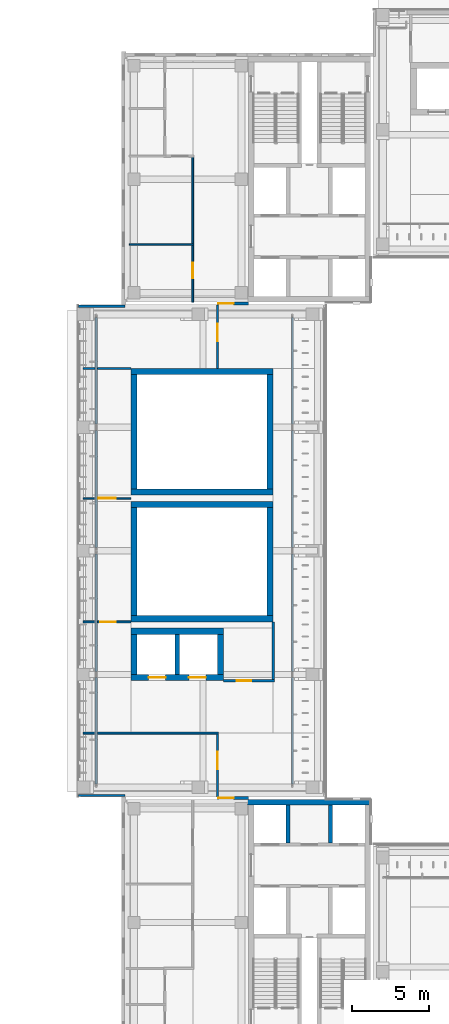
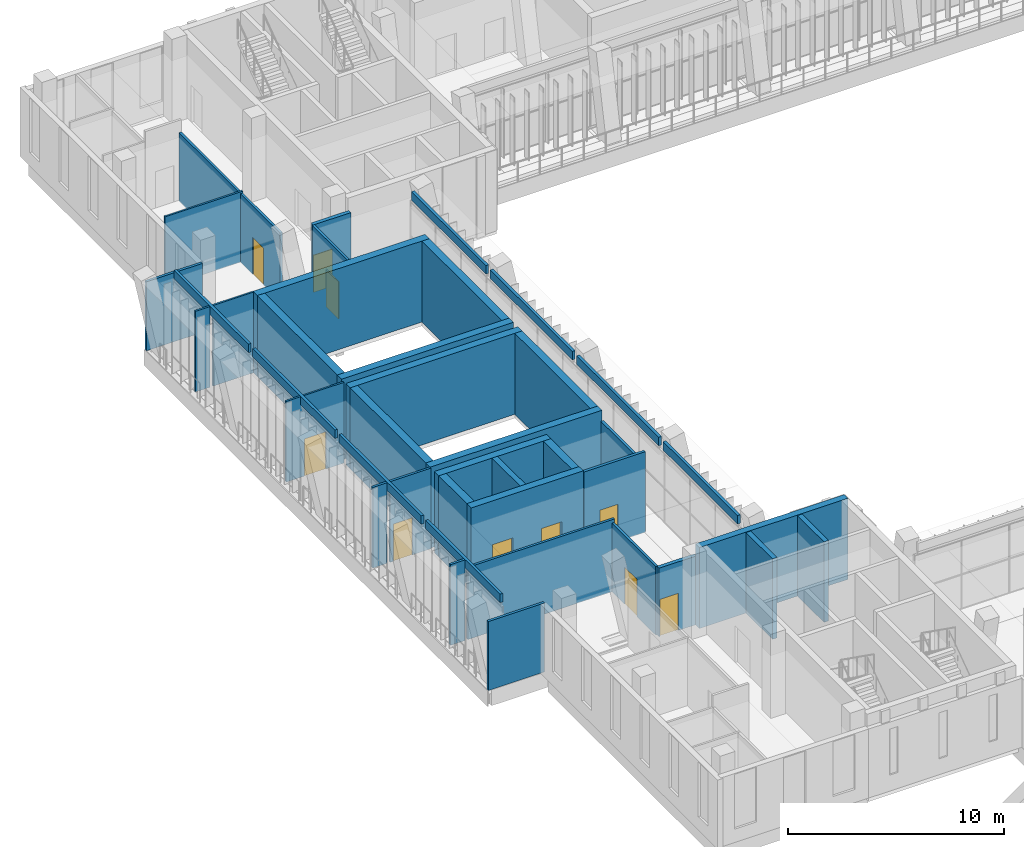
# One storey, part 62 of 89: 41 walls, 10 doors, 10 openings.
"""IFC4 building model written with IfcOpenShell, lengths in metres."""

from ifc_helpers import new_model, si_unit, direction, frame, frame_2d, origin, place, context, subcontext, project, spatial, rectangle, extrude, material, layer, layer_set, type_object, element, fill, save


model = new_model("IFC4")

# Units and contexts
model_context = context("Model", 3, precision=1e-05, world=origin(), true_north=direction((0.0, 1.0)))
body_context = subcontext(model_context, "Body", "Model", "MODEL_VIEW")
ifc_project = project(units=[si_unit("LENGTHUNIT", "METRE"), si_unit("AREAUNIT", "SQUARE_METRE"), si_unit("VOLUMEUNIT", "CUBIC_METRE"), si_unit("PLANEANGLEUNIT", "RADIAN"), si_unit("MASSUNIT", "GRAM", prefix="KILO")], contexts=[model_context])

# Site, building, storey
site_placement = place(None, origin())
site = spatial("IfcSite", under=ifc_project, at=site_placement, CompositionType="ELEMENT")
building_placement = place(site_placement, origin())
building = spatial("IfcBuilding", under=site, at=building_placement, Name="Lantern Court Media Centre", CompositionType="ELEMENT")
storey_placement = place(building_placement, frame((0.0, 0.0, 14.39990234375)))
storey = spatial("IfcBuildingStorey", under=building, at=storey_placement, Name="L03", CompositionType="ELEMENT", Elevation=14.39990234375)

# Wall, opening, door
ifc_material_1 = material(Name="Gypsum board partition")
ifc_layer_1 = layer(ifc_material_1, 0.125)
ifc_layer_set_1 = layer_set([ifc_layer_1], Name="Gypsum board partition")
wall_type_1 = type_object("IfcWallType", Name="Corridor partition 125", PredefinedType="PARTITIONING", material=ifc_layer_set_1)
wall_1_placement = place(storey_placement, frame((14.0, 64.10009765625, 0.0), z_axis=(0.0, 0.0, 1.0), x_axis=(0.0, 1.0, 0.0)))
wall_1 = element("IfcWall", 1, at=wall_1_placement, inside=storey, type_object=wall_type_1, Name="L03 partition 028", PredefinedType="PARTITIONING", context=body_context, shape_type="SweptSolid", body=[
    extrude(rectangle(XDim=4.037353515625, YDim=0.125, at=frame_2d((2.0185546875, 0.0))), origin(), (0.0, 0.0, 1.0), 3.880126953125),
])
opening_1_placement = place(wall_1_placement, frame((1.75, 0.0, 0.0)))
opening_1 = element("IfcOpeningElement", 2, at=opening_1_placement, cuts=wall_1, Name="Opening L03-021", PredefinedType="OPENING", context=body_context, shape_type="SweptSolid", body=[
    extrude(rectangle(XDim=1.14990234375, YDim=2.10009765625, at=frame_2d((0.574951171875, 1.050048828125))), frame((0.0, 0.072509765625, 0.0), z_axis=(0.0, -1.0, 0.0), x_axis=(1.0, 0.0, 0.0)), (0.0, 0.0, 1.0), 0.14501953125),
])
ifc_material_2 = material(Name="Solid-core timber door leaf", Category="wood")
door_type_1 = type_object("IfcDoorType", Name="Single door 1150x2100", OperationType="NOTDEFINED", PredefinedType="DOOR", material=ifc_material_2)
door_1_placement = place(opening_1_placement, origin())
door_1 = element("IfcDoor", 3, at=door_1_placement, inside=storey, type_object=door_type_1, Name="L03 Projection Room Screen 5 door", OperationType="SINGLE_SWING_RIGHT", OverallHeight=2.10009765625, OverallWidth=1.14990234375, PredefinedType="DOOR", context=body_context, shape_type="SweptSolid", body=[
    extrude(rectangle(XDim=1.14990234375, YDim=2.10009765625, at=frame_2d((0.574951171875, 1.050048828125))), frame((0.0, 0.02490234375, 0.0), z_axis=(0.0, -1.0, 0.0), x_axis=(1.0, 0.0, 0.0)), (0.0, 0.0, 1.0), 0.050048828125),
])
fill(opening_1, door_1)

wall_2_placement = place(storey_placement, frame((14.0, 91.804931640625, 0.0), z_axis=(0.0, 0.0, 1.0), x_axis=(0.0, 1.0, 0.0)))
wall_2 = element("IfcWall", 4, at=wall_2_placement, inside=storey, type_object=wall_type_1, Name="L03 partition 029", PredefinedType="PARTITIONING", context=body_context, shape_type="SweptSolid", body=[
    extrude(rectangle(XDim=4.094970703125, YDim=0.125, at=frame_2d((2.04736328125, 0.0))), origin(), (0.0, 0.0, 1.0), 3.880126953125),
])
opening_2_placement = place(wall_2_placement, frame((1.7451171875, 0.0, 0.0)))
opening_2 = element("IfcOpeningElement", 5, at=opening_2_placement, cuts=wall_2, Name="Opening L03-022", PredefinedType="OPENING", context=body_context, shape_type="SweptSolid", body=[
    extrude(rectangle(XDim=1.14990234375, YDim=2.10009765625, at=frame_2d((0.574951171875, 1.050048828125))), frame((0.0, 0.072509765625, 0.0), z_axis=(0.0, -1.0, 0.0), x_axis=(1.0, 0.0, 0.0)), (0.0, 0.0, 1.0), 0.14501953125),
])
door_2_placement = place(opening_2_placement, origin())
door_2 = element("IfcDoor", 6, at=door_2_placement, inside=storey, type_object=door_type_1, Name="L03 Projection Room Screen 6 door", OperationType="SINGLE_SWING_LEFT", OverallHeight=2.10009765625, OverallWidth=1.14990234375, PredefinedType="DOOR", context=body_context, shape_type="SweptSolid", body=[
    extrude(rectangle(XDim=1.14990234375, YDim=2.10009765625, at=frame_2d((0.574951171875, 1.050048828125))), frame((0.0, 0.02490234375, 0.0), z_axis=(0.0, -1.0, 0.0), x_axis=(1.0, 0.0, 0.0)), (0.0, 0.0, 1.0), 0.050048828125),
])
fill(opening_2, door_2)

# Walls
wall_3_placement = place(storey_placement, frame((5.300048828125, 68.199951171875, 0.0), z_axis=(0.0, 0.0, 1.0), x_axis=(1.0, 0.0, 0.0)))
element("IfcWall", 7, at=wall_3_placement, inside=storey, type_object=wall_type_1, Name="L03 partition 030", PredefinedType="PARTITIONING", context=body_context, shape_type="SweptSolid", body=[
    extrude(rectangle(XDim=0.77001953125, YDim=0.125, at=frame_2d((0.385009765625, 0.0))), origin(), (0.0, 0.0, 1.0), 4.56005859375),
])
wall_4_placement = place(storey_placement, frame((6.22998046875, 68.199951171875, 0.0), z_axis=(0.0, 0.0, 1.0), x_axis=(1.0, 0.0, 0.0)))
element("IfcWall", 8, at=wall_4_placement, inside=storey, type_object=wall_type_1, Name="L03 partition 031", PredefinedType="PARTITIONING", context=body_context, shape_type="SweptSolid", body=[
    extrude(rectangle(XDim=7.83251953125, YDim=0.125, at=frame_2d((3.916259765625, 0.0))), origin(), (0.0, 0.0, 1.0), 4.080078125),
])
wall_5_placement = place(storey_placement, frame((5.300048828125, 75.39990234375, 0.0), z_axis=(0.0, 0.0, 1.0), x_axis=(1.0, 0.0, 0.0)))
element("IfcWall", 9, at=wall_5_placement, inside=storey, type_object=wall_type_1, Name="L03 partition 037", PredefinedType="PARTITIONING", context=body_context, shape_type="SweptSolid", body=[
    extrude(rectangle(XDim=0.77001953125, YDim=0.125, at=frame_2d((0.385009765625, 0.0))), origin(), (0.0, 0.0, 1.0), 4.56005859375),
])

# Wall, opening, door
wall_6_placement = place(storey_placement, frame((6.22998046875, 75.39990234375, 0.0), z_axis=(0.0, 0.0, 1.0), x_axis=(1.0, 0.0, 0.0)))
wall_6 = element("IfcWall", 10, at=wall_6_placement, inside=storey, type_object=wall_type_1, Name="L03 partition 038", PredefinedType="PARTITIONING", context=body_context, shape_type="SweptSolid", body=[
    extrude(rectangle(XDim=2.169921875, YDim=0.125, at=frame_2d((1.0849609375, 0.0))), origin(), (0.0, 0.0, 1.0), 4.56005859375),
])
opening_3_placement = place(wall_6_placement, frame((0.1806640625, 0.0, 0.0)))
opening_3 = element("IfcOpeningElement", 11, at=opening_3_placement, cuts=wall_6, Name="Opening L03-023", PredefinedType="OPENING", context=body_context, shape_type="SweptSolid", body=[
    extrude(rectangle(XDim=1.0, YDim=2.10009765625, at=frame_2d((0.5, 1.050048828125))), frame((0.0, 0.072509765625, 0.0), z_axis=(0.0, -1.0, 0.0), x_axis=(1.0, 0.0, 0.0)), (0.0, 0.0, 1.0), 0.14501953125),
])
door_type_2 = type_object("IfcDoorType", Name="Single door 1000x2100", OperationType="NOTDEFINED", PredefinedType="DOOR", material=ifc_material_2)
door_3_placement = place(opening_3_placement, origin())
door_3 = element("IfcDoor", 12, at=door_3_placement, inside=storey, type_object=door_type_2, Name="L03 Cinema Club Room door", OperationType="SINGLE_SWING_RIGHT", OverallHeight=2.10009765625, OverallWidth=1.0, PredefinedType="DOOR", context=body_context, shape_type="SweptSolid", body=[
    extrude(rectangle(XDim=1.0, YDim=2.10009765625, at=frame_2d((0.5, 1.050048828125))), frame((0.0, 0.02490234375, 0.0), z_axis=(0.0, -1.0, 0.0), x_axis=(1.0, 0.0, 0.0)), (0.0, 0.0, 1.0), 0.050048828125),
])
fill(opening_3, door_3)

wall_7_placement = place(storey_placement, frame((12.39990234375, 96.10009765625, 0.0), z_axis=(0.0, 0.0, 1.0), x_axis=(0.0, 1.0, 0.0)))
wall_7 = element("IfcWall", 13, at=wall_7_placement, inside=storey, type_object=wall_type_1, Name="L03 partition 047", PredefinedType="PARTITIONING", context=body_context, shape_type="SweptSolid", body=[
    extrude(rectangle(XDim=9.376953125, YDim=0.125, at=frame_2d((4.6884765625, 0.0))), origin(), (0.0, 0.0, 1.0), 3.880126953125),
])
opening_4_placement = place(wall_7_placement, frame((1.550537109375, 0.0, 0.0)))
opening_4 = element("IfcOpeningElement", 14, at=opening_4_placement, cuts=wall_7, Name="Opening L03-043", PredefinedType="OPENING", context=body_context, shape_type="SweptSolid", body=[
    extrude(rectangle(XDim=1.0, YDim=2.10009765625, at=frame_2d((0.5, 1.050048828125))), frame((0.0, 0.072509765625, 0.0), z_axis=(0.0, -1.0, 0.0), x_axis=(1.0, 0.0, 0.0)), (0.0, 0.0, 1.0), 0.14501953125),
])
door_4_placement = place(opening_4_placement, origin())
door_4 = element("IfcDoor", 15, at=door_4_placement, inside=storey, type_object=door_type_2, Name="L03 Meeting Room 04 door", OperationType="SINGLE_SWING_RIGHT", OverallHeight=2.10009765625, OverallWidth=1.0, PredefinedType="DOOR", context=body_context, shape_type="SweptSolid", body=[
    extrude(rectangle(XDim=1.0, YDim=2.10009765625, at=frame_2d((0.5, 1.050048828125))), frame((0.0, 0.02490234375, 0.0), z_axis=(0.0, -1.0, 0.0), x_axis=(1.0, 0.0, 0.0)), (0.0, 0.0, 1.0), 0.050048828125),
])
fill(opening_4, door_4)

# Walls
ifc_material_3 = material(Name="Insulated rendered blockwork", Category="masonry")
ifc_layer_2 = layer(ifc_material_3, 0.14990234375)
ifc_layer_set_2 = layer_set([ifc_layer_2], Name="Insulated rendered blockwork")
wall_type_2 = type_object("IfcWallType", Name="Head infill wall 150", PredefinedType="SOLIDWALL", material=ifc_layer_set_2)
wall_8_placement = place(storey_placement, frame((6.14990234375, 64.89990234375, 4.10009765625), z_axis=(0.0, 0.0, 1.0), x_axis=(0.0, 1.0, 0.0)))
element("IfcWall", 16, at=wall_8_placement, inside=storey, type_object=wall_type_2, Name="Head infill wall W outer L03", PredefinedType="SOLIDWALL", context=body_context, shape_type="SweptSolid", body=[
    extrude(rectangle(XDim=6.900146484375, YDim=0.14990234375, at=frame_2d((3.4501953125, 0.0))), origin(), (0.0, 0.0, 1.0), 0.47998046875),
])
for number, where, z_axis, x_axis, name in (
    (17, (6.14990234375, 72.199951171875, 4.10009765625), (0.0, 0.0, 1.0), (0.0, 1.0, 0.0), "Head infill wall W outer L03"),
    (18, (6.14990234375, 80.199951171875, 4.10009765625), (0.0, 0.0, 1.0), (0.0, 1.0, 0.0), "Head infill wall W outer L03"),
):
    element("IfcWall", number, at=place(storey_placement, frame(where, z_axis=z_axis, x_axis=x_axis)), inside=storey, type_object=wall_type_2, Name=name, PredefinedType="SOLIDWALL", context=body_context, shape_type="SweptSolid", body=[
        extrude(rectangle(XDim=7.60009765625, YDim=0.14990234375, at=frame_2d((3.800048828125, 0.0))), origin(), (0.0, 0.0, 1.0), 0.47998046875),
    ])
for number, where, z_axis, x_axis, name in (
    (19, (6.14990234375, 88.199951171875, 4.10009765625), (0.0, 0.0, 1.0), (0.0, 1.0, 0.0), "Head infill wall W outer L03"),
    (20, (18.85009765625, 64.89990234375, 4.10009765625), (0.0, 0.0, 1.0), (0.0, 1.0, 0.0), "Head infill wall W inner L03"),
):
    element("IfcWall", number, at=place(storey_placement, frame(where, z_axis=z_axis, x_axis=x_axis)), inside=storey, type_object=wall_type_2, Name=name, PredefinedType="SOLIDWALL", context=body_context, shape_type="SweptSolid", body=[
        extrude(rectangle(XDim=6.900146484375, YDim=0.14990234375, at=frame_2d((3.4501953125, 0.0))), origin(), (0.0, 0.0, 1.0), 0.47998046875),
    ])
for number, where, z_axis, x_axis, name in (
    (21, (18.85009765625, 72.199951171875, 4.10009765625), (0.0, 0.0, 1.0), (0.0, 1.0, 0.0), "Head infill wall W inner L03"),
    (22, (18.85009765625, 80.199951171875, 4.10009765625), (0.0, 0.0, 1.0), (0.0, 1.0, 0.0), "Head infill wall W inner L03"),
):
    element("IfcWall", number, at=place(storey_placement, frame(where, z_axis=z_axis, x_axis=x_axis)), inside=storey, type_object=wall_type_2, Name=name, PredefinedType="SOLIDWALL", context=body_context, shape_type="SweptSolid", body=[
        extrude(rectangle(XDim=7.60009765625, YDim=0.14990234375, at=frame_2d((3.800048828125, 0.0))), origin(), (0.0, 0.0, 1.0), 0.47998046875),
    ])
wall_9_placement = place(storey_placement, frame((18.85009765625, 88.199951171875, 4.10009765625), z_axis=(0.0, 0.0, 1.0), x_axis=(0.0, 1.0, 0.0)))
element("IfcWall", 23, at=wall_9_placement, inside=storey, type_object=wall_type_2, Name="Head infill wall W inner L03", PredefinedType="SOLIDWALL", context=body_context, shape_type="SweptSolid", body=[
    extrude(rectangle(XDim=6.900146484375, YDim=0.14990234375, at=frame_2d((3.4501953125, 0.0))), origin(), (0.0, 0.0, 1.0), 0.47998046875),
])
ifc_material_4 = material(Name="Honed limestone cladding on blockwork", Category="masonry")
ifc_layer_3 = layer(ifc_material_4, 0.139892578125)
ifc_layer_set_3 = layer_set([ifc_layer_3], Name="Honed limestone cladding on blockwork")
wall_type_3 = type_object("IfcWallType", Name="Limestone closure wall 140", PredefinedType="SOLIDWALL", material=ifc_layer_set_3)
for number, where, z_axis, x_axis, name in (
    (24, (5.0, 64.169921875, 0.0), (0.0, 0.0, 1.0), (1.0, 0.0, 0.0), "Limestone closure wall W-SW L03"),
    (25, (5.0, 95.830078125, 0.0), (0.0, 0.0, 1.0), (1.0, 0.0, 0.0), "Limestone closure wall W-NW L03"),
):
    element("IfcWall", number, at=place(storey_placement, frame(where, z_axis=z_axis, x_axis=x_axis)), inside=storey, type_object=wall_type_3, Name=name, PredefinedType="SOLIDWALL", context=body_context, shape_type="SweptSolid", body=[
        extrude(rectangle(XDim=3.0, YDim=0.139892578125, at=frame_2d((1.5, 0.0))), origin(), (0.0, 0.0, 1.0), 3.900146484375),
    ])

# Wall, opening, door
ifc_material_5 = material(Name="Fire-rated gypsum board")
ifc_layer_4 = layer(ifc_material_5, 0.199951171875)
ifc_layer_set_4 = layer_set([ifc_layer_4], Name="Fire-rated gypsum board")
wall_type_4 = type_object("IfcWallType", Name="Movement-joint compartment wall 200", PredefinedType="PARTITIONING", material=ifc_layer_set_4)
wall_10_placement = place(storey_placement, frame((14.0, 64.0, 0.0), z_axis=(0.0, 0.0, 1.0), x_axis=(1.0, 0.0, 0.0)))
wall_10 = element("IfcWall", 26, at=wall_10_placement, inside=storey, type_object=wall_type_4, Name="L03 movement-joint wall 11", PredefinedType="PARTITIONING", context=body_context, shape_type="SweptSolid", body=[
    extrude(rectangle(XDim=2.0, YDim=0.199951171875, at=frame_2d((1.0, 0.0))), origin(), (0.0, 0.0, 1.0), 3.880126953125),
])
opening_5_placement = place(wall_10_placement, frame((0.050048828125, 0.0, 0.0)))
opening_5 = element("IfcOpeningElement", 27, at=opening_5_placement, cuts=wall_10, Name="Opening L03-J11", PredefinedType="OPENING", context=body_context, shape_type="SweptSolid", body=[
    extrude(rectangle(XDim=1.0, YDim=2.10009765625, at=frame_2d((0.5, 1.050048828125))), frame((0.0, 0.10986328125, 0.0), z_axis=(0.0, -1.0, 0.0), x_axis=(1.0, 0.0, 0.0)), (0.0, 0.0, 1.0), 0.219970703125),
])
ifc_material_6 = material(Name="Steel door leaf", Category="steel")
door_type_3 = type_object("IfcDoorType", Name="Movement-joint fire door 1000x2100", OperationType="NOTDEFINED", PredefinedType="DOOR", material=ifc_material_6)
door_5_placement = place(opening_5_placement, frame((1.0, 0.0, 0.0), z_axis=(0.0, 0.0, 1.0), x_axis=(-1.0, 0.0, 0.0)))
door_5 = element("IfcDoor", 28, at=door_5_placement, inside=storey, type_object=door_type_3, Name="L03 bar end lobby door 11", OperationType="SINGLE_SWING_LEFT", OverallHeight=2.10009765625, OverallWidth=1.0, PredefinedType="DOOR", context=body_context, shape_type="SweptSolid", body=[
    extrude(rectangle(XDim=1.0, YDim=2.10009765625, at=frame_2d((0.5, 1.050048828125))), frame((0.0, 0.02490234375, 0.0), z_axis=(0.0, -1.0, 0.0), x_axis=(1.0, 0.0, 0.0)), (0.0, 0.0, 1.0), 0.050048828125),
])
fill(opening_5, door_5)

wall_11_placement = place(storey_placement, frame((14.0, 96.0, 0.0), z_axis=(0.0, 0.0, 1.0), x_axis=(1.0, 0.0, 0.0)))
wall_11 = element("IfcWall", 29, at=wall_11_placement, inside=storey, type_object=wall_type_4, Name="L03 movement-joint wall 12", PredefinedType="PARTITIONING", context=body_context, shape_type="SweptSolid", body=[
    extrude(rectangle(XDim=2.0, YDim=0.199951171875, at=frame_2d((1.0, 0.0))), origin(), (0.0, 0.0, 1.0), 3.880126953125),
])
opening_6_placement = place(wall_11_placement, frame((0.050048828125, 0.0, 0.0)))
opening_6 = element("IfcOpeningElement", 30, at=opening_6_placement, cuts=wall_11, Name="Opening L03-J12", PredefinedType="OPENING", context=body_context, shape_type="SweptSolid", body=[
    extrude(rectangle(XDim=1.0, YDim=2.10009765625, at=frame_2d((0.5, 1.050048828125))), frame((0.0, 0.10986328125, 0.0), z_axis=(0.0, -1.0, 0.0), x_axis=(1.0, 0.0, 0.0)), (0.0, 0.0, 1.0), 0.219970703125),
])
door_6_placement = place(opening_6_placement, origin())
door_6 = element("IfcDoor", 31, at=door_6_placement, inside=storey, type_object=door_type_3, Name="L03 bar end lobby door 12", OperationType="SINGLE_SWING_LEFT", OverallHeight=2.10009765625, OverallWidth=1.0, PredefinedType="DOOR", context=body_context, shape_type="SweptSolid", body=[
    extrude(rectangle(XDim=1.0, YDim=2.10009765625, at=frame_2d((0.5, 1.050048828125))), frame((0.0, 0.02490234375, 0.0), z_axis=(0.0, -1.0, 0.0), x_axis=(1.0, 0.0, 0.0)), (0.0, 0.0, 1.0), 0.050048828125),
])
fill(opening_6, door_6)

# Walls
ifc_layer_5 = layer(ifc_material_1, 0.10009765625)
ifc_layer_set_5 = layer_set([ifc_layer_5], Name="Gypsum board partition")
wall_type_5 = type_object("IfcWallType", Name="Partition 100", PredefinedType="PARTITIONING", material=ifc_layer_set_5)
wall_12_placement = place(storey_placement, frame((5.300048828125, 91.800048828125, 0.0), z_axis=(0.0, 0.0, 1.0), x_axis=(1.0, 0.0, 0.0)))
element("IfcWall", 32, at=wall_12_placement, inside=storey, type_object=wall_type_5, Name="L03 partition 033", PredefinedType="PARTITIONING", context=body_context, shape_type="SweptSolid", body=[
    extrude(rectangle(XDim=0.77001953125, YDim=0.10009765625, at=frame_2d((0.385009765625, 0.0))), origin(), (0.0, 0.0, 1.0), 4.56005859375),
])
wall_13_placement = place(storey_placement, frame((6.22998046875, 91.800048828125, 0.0), z_axis=(0.0, 0.0, 1.0), x_axis=(1.0, 0.0, 0.0)))
element("IfcWall", 33, at=wall_13_placement, inside=storey, type_object=wall_type_5, Name="L03 partition 034", PredefinedType="PARTITIONING", context=body_context, shape_type="SweptSolid", body=[
    extrude(rectangle(XDim=2.169921875, YDim=0.10009765625, at=frame_2d((1.0849609375, 0.0))), origin(), (0.0, 0.0, 1.0), 4.56005859375),
])
wall_14_placement = place(storey_placement, frame((8.300048828125, 99.825927734375, 0.0), z_axis=(0.0, 0.0, 1.0), x_axis=(1.0, 0.0, 0.0)))
element("IfcWall", 34, at=wall_14_placement, inside=storey, type_object=wall_type_5, Name="L03 partition 062", PredefinedType="PARTITIONING", context=body_context, shape_type="SweptSolid", body=[
    extrude(rectangle(XDim=4.162353515625, YDim=0.10009765625, at=frame_2d((2.0810546875, 0.0))), origin(), (0.0, 0.0, 1.0), 3.97998046875),
])

# Wall, opening, door
wall_15_placement = place(storey_placement, frame((5.300048828125, 83.39990234375, 0.0), z_axis=(0.0, 0.0, 1.0), x_axis=(1.0, 0.0, 0.0)))
wall_15 = element("IfcWall", 35, at=wall_15_placement, inside=storey, type_object=wall_type_5, Name="L03 partition 070", PredefinedType="PARTITIONING", context=body_context, shape_type="SweptSolid", body=[
    extrude(rectangle(XDim=3.099853515625, YDim=0.10009765625, at=frame_2d((1.5498046875, 0.0))), origin(), (0.0, 0.0, 1.0), 4.56005859375),
])
opening_7_placement = place(wall_15_placement, frame((0.97509765625, 0.0, 0.0)))
opening_7 = element("IfcOpeningElement", 36, at=opening_7_placement, cuts=wall_15, Name="Opening L03-024", PredefinedType="OPENING", context=body_context, shape_type="SweptSolid", body=[
    extrude(rectangle(XDim=1.14990234375, YDim=2.10009765625, at=frame_2d((0.574951171875, 1.050048828125))), frame((0.0, 0.06005859375, 0.0), z_axis=(0.0, -1.0, 0.0), x_axis=(1.0, 0.0, 0.0)), (0.0, 0.0, 1.0), 0.1201171875),
])
door_7_placement = place(opening_7_placement, origin())
door_7 = element("IfcDoor", 37, at=door_7_placement, inside=storey, type_object=door_type_1, Name="L03 Cinema Club Room door", OperationType="SINGLE_SWING_LEFT", OverallHeight=2.10009765625, OverallWidth=1.14990234375, PredefinedType="DOOR", context=body_context, shape_type="SweptSolid", body=[
    extrude(rectangle(XDim=1.14990234375, YDim=2.10009765625, at=frame_2d((0.574951171875, 1.050048828125))), frame((0.0, 0.02490234375, 0.0), z_axis=(0.0, -1.0, 0.0), x_axis=(1.0, 0.0, 0.0)), (0.0, 0.0, 1.0), 0.050048828125),
])
fill(opening_7, door_7)

ifc_material_7 = material(Name="Concrete blockwork C20", Category="masonry")
ifc_layer_6 = layer(ifc_material_7, 0.14990234375)
ifc_layer_set_6 = layer_set([ifc_layer_6], Name="Concrete blockwork C20")
wall_type_6 = type_object("IfcWallType", Name="Partition 150 masonry", PredefinedType="PARTITIONING", material=ifc_layer_set_6)
wall_16_placement = place(storey_placement, frame((14.39990234375, 71.60009765625, 0.0), z_axis=(0.0, 0.0, 1.0), x_axis=(1.0, 0.0, 0.0)))
wall_16 = element("IfcWall", 38, at=wall_16_placement, inside=storey, type_object=wall_type_6, Name="L03 partition 039", PredefinedType="PARTITIONING", context=body_context, shape_type="SweptSolid", body=[
    extrude(rectangle(XDim=3.275146484375, YDim=0.14990234375, at=frame_2d((1.6376953125, 0.0))), origin(), (0.0, 0.0, 1.0), 4.56005859375),
])
opening_8_placement = place(wall_16_placement, frame((0.85009765625, 0.0, 0.0)))
opening_8 = element("IfcOpeningElement", 39, at=opening_8_placement, cuts=wall_16, Name="Opening L03-025", PredefinedType="OPENING", context=body_context, shape_type="SweptSolid", body=[
    extrude(rectangle(XDim=0.949951171875, YDim=2.10009765625, at=frame_2d((0.47509765625, 1.050048828125))), frame((0.0, 0.0849609375, 0.0), z_axis=(0.0, -1.0, 0.0), x_axis=(1.0, 0.0, 0.0)), (0.0, 0.0, 1.0), 0.169921875),
])
door_type_4 = type_object("IfcDoorType", Name="Accessible WC door 950x2100", OperationType="NOTDEFINED", PredefinedType="DOOR", material=ifc_material_2)
door_8_placement = place(opening_8_placement, origin())
door_8 = element("IfcDoor", 40, at=door_8_placement, inside=storey, type_object=door_type_4, Name="L03 Accessible WC door", OperationType="SINGLE_SWING_RIGHT", OverallHeight=2.10009765625, OverallWidth=0.949951171875, PredefinedType="DOOR", context=body_context, shape_type="SweptSolid", body=[
    extrude(rectangle(XDim=0.949951171875, YDim=2.10009765625, at=frame_2d((0.47509765625, 1.050048828125))), frame((0.0, 0.02490234375, 0.0), z_axis=(0.0, -1.0, 0.0), x_axis=(1.0, 0.0, 0.0)), (0.0, 0.0, 1.0), 0.050048828125),
])
fill(opening_8, door_8)

# Walls
wall_17_placement = place(storey_placement, frame((17.60009765625, 71.675048828125, 0.0), z_axis=(0.0, 0.0, 1.0), x_axis=(0.0, 1.0, 0.0)))
element("IfcWall", 41, at=wall_17_placement, inside=storey, type_object=wall_type_6, Name="L03 partition 041", PredefinedType="PARTITIONING", context=body_context, shape_type="SweptSolid", body=[
    extrude(rectangle(XDim=3.724853515625, YDim=0.14990234375, at=frame_2d((1.8623046875, 0.0))), origin(), (0.0, 0.0, 1.0), 3.97998046875),
])
ifc_material_8 = material(Name="Concrete C40", Category="concrete")
ifc_layer_7 = layer(ifc_material_8, 0.35009765625)
ifc_layer_set_7 = layer_set([ifc_layer_7], Name="Concrete C40")
wall_type_7 = type_object("IfcWallType", Name="RC CORE WALL 350", PredefinedType="SHEAR", material=ifc_layer_set_7)
wall_18_placement = place(storey_placement, frame((15.949951171875, 63.72509765625, 0.0), z_axis=(0.0, 0.0, 1.0), x_axis=(1.0, 0.0, 0.0)))
element("IfcWall", 42, at=wall_18_placement, inside=storey, type_object=wall_type_7, Name="WC-SW-L03-N", PredefinedType="SHEAR", context=body_context, shape_type="SweptSolid", body=[
    extrude(rectangle(XDim=7.949951171875, YDim=0.35009765625, at=frame_2d((3.97509765625, 0.0))), origin(), (0.0, 0.0, 1.0), 4.580078125),
])
ifc_layer_8 = layer(ifc_material_8, 0.300048828125)
ifc_layer_set_8 = layer_set([ifc_layer_8], Name="Concrete C40")
wall_type_8 = type_object("IfcWallType", Name="RC SHEAR WALL 300", PredefinedType="SHEAR", material=ifc_layer_set_8)
wall_19_placement = place(storey_placement, frame((11.39990234375, 72.0, 0.0), z_axis=(0.0, 0.0, 1.0), x_axis=(0.0, 1.0, 0.0)))
element("IfcWall", 43, at=wall_19_placement, inside=storey, type_object=wall_type_8, Name="WB-W-LC-L03-D", PredefinedType="SHEAR", context=body_context, shape_type="SweptSolid", body=[
    extrude(rectangle(XDim=2.60009765625, YDim=0.300048828125, at=frame_2d((1.300048828125, 0.0))), origin(), (0.0, 0.0, 1.0), 4.580078125),
])
ifc_layer_9 = layer(ifc_material_8, 0.39990234375)
ifc_layer_set_9 = layer_set([ifc_layer_9], Name="Concrete C40")
wall_type_9 = type_object("IfcWallType", Name="RC SHEAR WALL 400", PredefinedType="SHEAR", material=ifc_layer_set_9)
for number, where, z_axis, x_axis, name in (
    (44, (8.39990234375, 75.60009765625, 0.0), (0.0, 0.0, 1.0), (1.0, 0.0, 0.0), "WB-A5-L03-S"),
    (45, (8.39990234375, 83.0, 0.0), (0.0, 0.0, 1.0), (1.0, 0.0, 0.0), "WB-A5-L03-N"),
):
    element("IfcWall", number, at=place(storey_placement, frame(where, z_axis=z_axis, x_axis=x_axis)), inside=storey, type_object=wall_type_9, Name=name, PredefinedType="SHEAR", context=body_context, shape_type="SweptSolid", body=[
        extrude(rectangle(XDim=9.2001953125, YDim=0.39990234375, at=frame_2d((4.60009765625, 0.0))), origin(), (0.0, 0.0, 1.0), 4.580078125),
    ])
for number, where, z_axis, x_axis, name in (
    (46, (8.60009765625, 75.800048828125, 0.0), (0.0, 0.0, 1.0), (0.0, 1.0, 0.0), "WB-A5-L03-W"),
    (47, (17.39990234375, 75.800048828125, 0.0), (0.0, 0.0, 1.0), (0.0, 1.0, 0.0), "WB-A5-L03-E"),
):
    element("IfcWall", number, at=place(storey_placement, frame(where, z_axis=z_axis, x_axis=x_axis)), inside=storey, type_object=wall_type_9, Name=name, PredefinedType="SHEAR", context=body_context, shape_type="SweptSolid", body=[
        extrude(rectangle(XDim=7.0, YDim=0.39990234375, at=frame_2d((3.5, 0.0))), origin(), (0.0, 0.0, 1.0), 4.580078125),
    ])
for number, where, z_axis, x_axis, name in (
    (48, (8.39990234375, 83.800048828125, 0.0), (0.0, 0.0, 1.0), (1.0, 0.0, 0.0), "WB-A6-L03-S"),
    (49, (8.39990234375, 91.60009765625, 0.0), (0.0, 0.0, 1.0), (1.0, 0.0, 0.0), "WB-A6-L03-N"),
):
    element("IfcWall", number, at=place(storey_placement, frame(where, z_axis=z_axis, x_axis=x_axis)), inside=storey, type_object=wall_type_9, Name=name, PredefinedType="SHEAR", context=body_context, shape_type="SweptSolid", body=[
        extrude(rectangle(XDim=9.2001953125, YDim=0.39990234375, at=frame_2d((4.60009765625, 0.0))), origin(), (0.0, 0.0, 1.0), 4.580078125),
    ])
for number, where, z_axis, x_axis, name in (
    (50, (8.60009765625, 84.0, 0.0), (0.0, 0.0, 1.0), (0.0, 1.0, 0.0), "WB-A6-L03-W"),
    (51, (17.39990234375, 84.0, 0.0), (0.0, 0.0, 1.0), (0.0, 1.0, 0.0), "WB-A6-L03-E"),
):
    element("IfcWall", number, at=place(storey_placement, frame(where, z_axis=z_axis, x_axis=x_axis)), inside=storey, type_object=wall_type_9, Name=name, PredefinedType="SHEAR", context=body_context, shape_type="SweptSolid", body=[
        extrude(rectangle(XDim=7.39990234375, YDim=0.39990234375, at=frame_2d((3.699951171875, 0.0))), origin(), (0.0, 0.0, 1.0), 4.580078125),
    ])

# Wall, openings, doors
wall_20_placement = place(storey_placement, frame((8.39990234375, 71.800048828125, 0.0), z_axis=(0.0, 0.0, 1.0), x_axis=(1.0, 0.0, 0.0)))
wall_20 = element("IfcWall", 52, at=wall_20_placement, inside=storey, type_object=wall_type_9, Name="WB-W-LC-L03-S", PredefinedType="SHEAR", context=body_context, shape_type="SweptSolid", body=[
    extrude(rectangle(XDim=6.0, YDim=0.39990234375, at=frame_2d((3.0, 0.0))), origin(), (0.0, 0.0, 1.0), 4.580078125),
])
opening_9_placement = place(wall_20_placement, frame((1.14990234375, 0.0, 0.0)))
opening_9 = element("IfcOpeningElement", 53, at=opening_9_placement, cuts=wall_20, Name="Opening LD-W-LCP-L03", PredefinedType="OPENING", context=body_context, shape_type="SweptSolid", body=[
    extrude(rectangle(XDim=1.10009765625, YDim=2.10009765625, at=frame_2d((0.550048828125, 1.050048828125))), frame((0.0, 0.2099609375, 0.0), z_axis=(0.0, -1.0, 0.0), x_axis=(1.0, 0.0, 0.0)), (0.0, 0.0, 1.0), 0.419921875),
])
opening_10_placement = place(wall_20_placement, frame((3.75, 0.0, 0.0)))
opening_10 = element("IfcOpeningElement", 54, at=opening_10_placement, cuts=wall_20, Name="Opening LD-W-LCS-L03", PredefinedType="OPENING", context=body_context, shape_type="SweptSolid", body=[
    extrude(rectangle(XDim=1.10009765625, YDim=2.10009765625, at=frame_2d((0.550048828125, 1.050048828125))), frame((0.0, 0.2099609375, 0.0), z_axis=(0.0, -1.0, 0.0), x_axis=(1.0, 0.0, 0.0)), (0.0, 0.0, 1.0), 0.419921875),
])
door_type_5 = type_object("IfcDoorType", Name="Lift landing door 1100x2100", OperationType="DOUBLE_DOOR_SLIDING", PredefinedType="DOOR", material=ifc_material_6)
door_9_placement = place(opening_9_placement, frame((1.10009765625, 0.0, 0.0), z_axis=(0.0, 0.0, 1.0), x_axis=(-1.0, 0.0, 0.0)))
door_9 = element("IfcDoor", 55, at=door_9_placement, inside=storey, type_object=door_type_5, Name="L03 W-LC passenger lift landing door", OperationType="DOUBLE_DOOR_SLIDING", OverallHeight=2.10009765625, OverallWidth=1.10009765625, PredefinedType="DOOR", context=body_context, shape_type="SweptSolid", body=[
    extrude(rectangle(XDim=1.10009765625, YDim=2.10009765625, at=frame_2d((0.550048828125, 1.050048828125))), frame((0.0, 0.02490234375, 0.0), z_axis=(0.0, -1.0, 0.0), x_axis=(1.0, 0.0, 0.0)), (0.0, 0.0, 1.0), 0.050048828125),
])
fill(opening_9, door_9)
door_10_placement = place(opening_10_placement, frame((1.10009765625, 0.0, 0.0), z_axis=(0.0, 0.0, 1.0), x_axis=(-1.0, 0.0, 0.0)))
door_10 = element("IfcDoor", 56, at=door_10_placement, inside=storey, type_object=door_type_5, Name="L03 W-LC service lift landing door", OperationType="DOUBLE_DOOR_SLIDING", OverallHeight=2.10009765625, OverallWidth=1.10009765625, PredefinedType="DOOR", context=body_context, shape_type="SweptSolid", body=[
    extrude(rectangle(XDim=1.10009765625, YDim=2.10009765625, at=frame_2d((0.550048828125, 1.050048828125))), frame((0.0, 0.02490234375, 0.0), z_axis=(0.0, -1.0, 0.0), x_axis=(1.0, 0.0, 0.0)), (0.0, 0.0, 1.0), 0.050048828125),
])
fill(opening_10, door_10)

# Walls
wall_21_placement = place(storey_placement, frame((8.39990234375, 74.800048828125, 0.0), z_axis=(0.0, 0.0, 1.0), x_axis=(1.0, 0.0, 0.0)))
element("IfcWall", 57, at=wall_21_placement, inside=storey, type_object=wall_type_9, Name="WB-W-LC-L03-N", PredefinedType="SHEAR", context=body_context, shape_type="SweptSolid", body=[
    extrude(rectangle(XDim=6.0, YDim=0.39990234375, at=frame_2d((3.0, 0.0))), origin(), (0.0, 0.0, 1.0), 4.580078125),
])
for number, where, z_axis, x_axis, name in (
    (58, (8.60009765625, 72.0, 0.0), (0.0, 0.0, 1.0), (0.0, 1.0, 0.0), "WB-W-LC-L03-W"),
    (59, (14.199951171875, 72.0, 0.0), (0.0, 0.0, 1.0), (0.0, 1.0, 0.0), "WB-W-LC-L03-E"),
):
    element("IfcWall", number, at=place(storey_placement, frame(where, z_axis=z_axis, x_axis=x_axis)), inside=storey, type_object=wall_type_9, Name=name, PredefinedType="SHEAR", context=body_context, shape_type="SweptSolid", body=[
        extrude(rectangle(XDim=2.60009765625, YDim=0.39990234375, at=frame_2d((1.300048828125, 0.0))), origin(), (0.0, 0.0, 1.0), 4.580078125),
    ])
ifc_layer_10 = layer(ifc_material_8, 0.25)
ifc_layer_set_10 = layer_set([ifc_layer_10], Name="Concrete C40")
wall_type_10 = type_object("IfcWallType", Name="RC lift shaft wall 250", PredefinedType="SOLIDWALL", material=ifc_layer_set_10)
for number, where, z_axis, x_axis, name in (
    (60, (18.574951171875, 61.10009765625, 0.0), (0.0, 0.0, 1.0), (0.0, 1.0, 0.0), "L03 SW L1b"),
    (61, (21.324951171875, 61.10009765625, 0.0), (0.0, 0.0, 1.0), (0.0, 1.0, 0.0), "L03 SW L2b"),
):
    element("IfcWall", number, at=place(storey_placement, frame(where, z_axis=z_axis, x_axis=x_axis)), inside=storey, type_object=wall_type_10, Name=name, PredefinedType="SOLIDWALL", context=body_context, shape_type="SweptSolid", body=[
        extrude(rectangle(XDim=2.449951171875, YDim=0.25, at=frame_2d((1.22509765625, 0.0))), origin(), (0.0, 0.0, 1.0), 4.550048828125),
    ])

save(model, "model.ifc")
